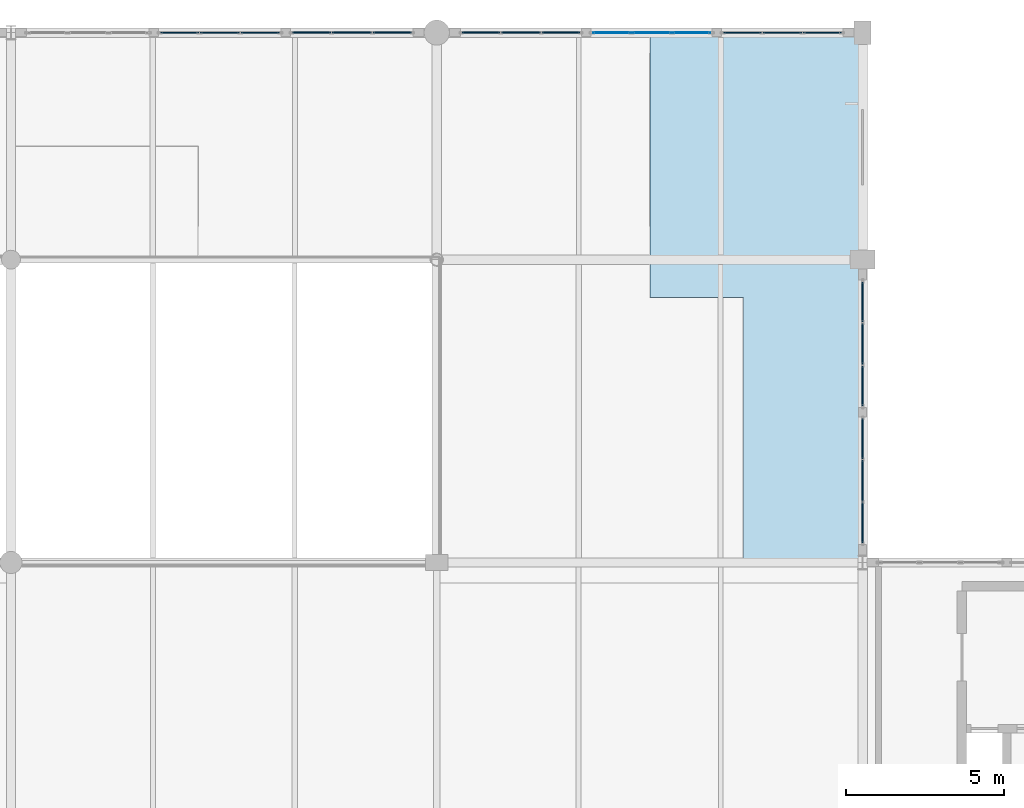
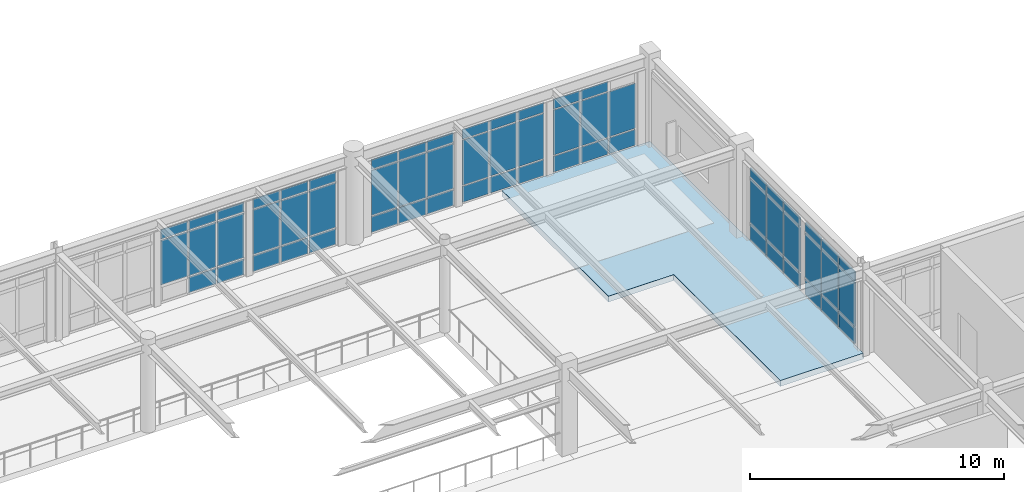
# One storey, part 41 of 61: 61 plates, 1 slab, 7 elements without a shape of their own.
"""IFC4 building model written with IfcOpenShell, lengths in metres."""

from ifc_helpers import new_model, si_unit, direction, frame, origin, origin_2d, place, context, subcontext, project, spatial, polyline, rectangle, outline, extrude, material, layer, layer_set, type_object, element, aggregate, save


model = new_model("IFC4")

# Units and contexts
model_context = context("Model", 3, precision=1e-05, world=origin(), true_north=direction((0.0, 1.0)))
body_context = subcontext(model_context, "Body", "Model", "MODEL_VIEW")
ifc_project = project(units=[si_unit("LENGTHUNIT", "METRE"), si_unit("AREAUNIT", "SQUARE_METRE"), si_unit("VOLUMEUNIT", "CUBIC_METRE"), si_unit("PLANEANGLEUNIT", "RADIAN"), si_unit("MASSUNIT", "GRAM", prefix="KILO")], contexts=[model_context])

# Site, building, storey
site_placement = place(None, origin())
site = spatial("IfcSite", under=ifc_project, at=site_placement, CompositionType="ELEMENT")
building_placement = place(site_placement, origin())
building = spatial("IfcBuilding", under=site, at=building_placement, Name="Fikremerkos Civic Library", CompositionType="ELEMENT")
storey_placement = place(building_placement, frame((0.0, 0.0, 14.39990234375)))
storey = spatial("IfcBuildingStorey", under=building, at=storey_placement, Name="L03", CompositionType="ELEMENT", Elevation=14.39990234375)

# Curtain wall, plates
ifc_material_1 = material(Name="Anodized aluminium Frame", Category="aluminium")
ifc_layer_1 = layer(ifc_material_1, 0.159912109375, Name="Anodized aluminium Frame")
ifc_layer_set_1 = layer_set([ifc_layer_1], Name="Anodized aluminium Frame")
curtain_wall_type_1 = type_object("IfcCurtainWallType", Name="Unitised curtain wall CW-05 3800x4100", PredefinedType="USERDEFINED", material=ifc_layer_set_1)
curtain_wall_1_placement = place(storey_placement, origin())
curtain_wall_1 = element("IfcCurtainWall", 1, at=curtain_wall_1_placement, inside=storey, type_object=curtain_wall_type_1, Name="Unitised curtain wall CW-05 L03 #203", ObjectType="UNITISED CURTAIN WALL", PredefinedType="USERDEFINED")
ifc_material_2 = material(Name="Solar control double glazing", Category="glass")
ifc_layer_2 = layer(ifc_material_2, 0.028076171875, Name="Solar control double glazing")
ifc_layer_set_2 = layer_set([ifc_layer_2], Name="Solar control double glazing")
plate_type_1 = type_object("IfcPlateType", Name="Curtain glazing panel CWP-01 28", PredefinedType="CURTAIN_PANEL", material=ifc_layer_set_2)
plate_1_placement = place(storey_placement, frame((92.247802734375, 48.0, 0.06005859375), z_axis=(0.0, 0.0, 1.0), x_axis=(1.0, 0.0, 0.0)))
plate_1 = element("IfcPlate", 2, at=plate_1_placement, type_object=plate_type_1, Name="CW-05 panel 1.1", PredefinedType="CURTAIN_PANEL", context=body_context, shape_type="SweptSolid", body=[
    extrude(rectangle(XDim=1.18359375, YDim=0.028076171875, at=origin_2d()), origin(), (0.0, 0.0, 1.0), 0.760009765625),
])
plate_2_placement = place(storey_placement, frame((92.247802734375, 48.0, 0.88037109375), z_axis=(0.0, 0.0, 1.0), x_axis=(1.0, 0.0, 0.0)))
plate_2 = element("IfcPlate", 3, at=plate_2_placement, type_object=plate_type_1, Name="CW-05 panel 1.2", PredefinedType="CURTAIN_PANEL", context=body_context, shape_type="SweptSolid", body=[
    extrude(rectangle(XDim=1.18359375, YDim=0.028076171875, at=origin_2d()), origin(), (0.0, 0.0, 1.0), 2.159912109375),
])
plate_3_placement = place(storey_placement, frame((92.247802734375, 48.0, 3.10009765625), z_axis=(0.0, 0.0, 1.0), x_axis=(1.0, 0.0, 0.0)))
plate_3 = element("IfcPlate", 4, at=plate_3_placement, type_object=plate_type_1, Name="CW-05 panel 1.3", PredefinedType="CURTAIN_PANEL", context=body_context, shape_type="SweptSolid", body=[
    extrude(rectangle(XDim=1.18359375, YDim=0.028076171875, at=origin_2d()), origin(), (0.0, 0.0, 1.0), 0.4599609375),
])
plate_4_placement = place(storey_placement, frame((93.512451171875, 48.0, 0.06005859375), z_axis=(0.0, 0.0, 1.0), x_axis=(1.0, 0.0, 0.0)))
plate_4 = element("IfcPlate", 5, at=plate_4_placement, type_object=plate_type_1, Name="CW-05 panel 2.1", PredefinedType="CURTAIN_PANEL", context=body_context, shape_type="SweptSolid", body=[
    extrude(rectangle(XDim=1.216064453125, YDim=0.028076171875, at=origin_2d()), origin(), (0.0, 0.0, 1.0), 0.760009765625),
])
plate_5_placement = place(storey_placement, frame((93.512451171875, 48.0, 0.88037109375), z_axis=(0.0, 0.0, 1.0), x_axis=(1.0, 0.0, 0.0)))
plate_5 = element("IfcPlate", 6, at=plate_5_placement, type_object=plate_type_1, Name="CW-05 panel 2.2", PredefinedType="CURTAIN_PANEL", context=body_context, shape_type="SweptSolid", body=[
    extrude(rectangle(XDim=1.216064453125, YDim=0.028076171875, at=origin_2d()), origin(), (0.0, 0.0, 1.0), 2.159912109375),
])
plate_6_placement = place(storey_placement, frame((93.512451171875, 48.0, 3.10009765625), z_axis=(0.0, 0.0, 1.0), x_axis=(1.0, 0.0, 0.0)))
plate_6 = element("IfcPlate", 7, at=plate_6_placement, type_object=plate_type_1, Name="CW-05 panel 2.3", PredefinedType="CURTAIN_PANEL", context=body_context, shape_type="SweptSolid", body=[
    extrude(rectangle(XDim=1.216064453125, YDim=0.028076171875, at=origin_2d()), origin(), (0.0, 0.0, 1.0), 0.4599609375),
])
plate_7_placement = place(storey_placement, frame((94.77734375, 48.0, 0.06005859375), z_axis=(0.0, 0.0, 1.0), x_axis=(1.0, 0.0, 0.0)))
plate_7 = element("IfcPlate", 8, at=plate_7_placement, type_object=plate_type_1, Name="CW-05 panel 3.1", PredefinedType="CURTAIN_PANEL", context=body_context, shape_type="SweptSolid", body=[
    extrude(rectangle(XDim=1.18359375, YDim=0.028076171875, at=origin_2d()), origin(), (0.0, 0.0, 1.0), 0.760009765625),
])
plate_8_placement = place(storey_placement, frame((94.77734375, 48.0, 0.88037109375), z_axis=(0.0, 0.0, 1.0), x_axis=(1.0, 0.0, 0.0)))
plate_8 = element("IfcPlate", 9, at=plate_8_placement, type_object=plate_type_1, Name="CW-05 panel 3.2", PredefinedType="CURTAIN_PANEL", context=body_context, shape_type="SweptSolid", body=[
    extrude(rectangle(XDim=1.18359375, YDim=0.028076171875, at=origin_2d()), origin(), (0.0, 0.0, 1.0), 2.159912109375),
])
plate_9_placement = place(storey_placement, frame((94.77734375, 48.0, 3.10009765625), z_axis=(0.0, 0.0, 1.0), x_axis=(1.0, 0.0, 0.0)))
plate_9 = element("IfcPlate", 10, at=plate_9_placement, type_object=plate_type_1, Name="CW-05 panel 3.3", PredefinedType="CURTAIN_PANEL", context=body_context, shape_type="SweptSolid", body=[
    extrude(rectangle(XDim=1.18359375, YDim=0.028076171875, at=origin_2d()), origin(), (0.0, 0.0, 1.0), 0.4599609375),
])
aggregate(curtain_wall_1, [plate_1, plate_2, plate_3, plate_4, plate_5, plate_6, plate_7, plate_8, plate_9])

ifc_layer_3 = layer(ifc_material_1, 0.159912109375, Name="Anodized aluminium Frame")
ifc_layer_set_3 = layer_set([ifc_layer_3], Name="Anodized aluminium Frame")
curtain_wall_type_2 = type_object("IfcCurtainWallType", Name="Unitised curtain wall CW-02 3900x3600", PredefinedType="USERDEFINED", material=ifc_layer_set_3)
curtain_wall_2_placement = place(storey_placement, origin())
curtain_wall_2 = element("IfcCurtainWall", 11, at=curtain_wall_2_placement, inside=storey, type_object=curtain_wall_type_2, Name="Unitised curtain wall CW-02 L03 #200", ObjectType="UNITISED CURTAIN WALL", PredefinedType="USERDEFINED")
ifc_layer_4 = layer(ifc_material_2, 0.035888671875, Name="Solar control double glazing")
ifc_layer_set_4 = layer_set([ifc_layer_4], Name="Solar control double glazing")
plate_type_2 = type_object("IfcPlateType", Name="Curtain glazing panel CWP-02 36", PredefinedType="CURTAIN_PANEL", material=ifc_layer_set_4)
plate_10_placement = place(storey_placement, frame((78.545166015625, 48.0, 0.88525390625), z_axis=(0.0, 0.0, 1.0), x_axis=(1.0, 0.0, 0.0)))
plate_10 = element("IfcPlate", 12, at=plate_10_placement, type_object=plate_type_2, Name="CW-02 panel 1.2", PredefinedType="CURTAIN_PANEL", context=body_context, shape_type="SweptSolid", body=[
    extrude(rectangle(XDim=1.204833984375, YDim=0.035888671875, at=origin_2d()), origin(), (0.0, 0.0, 1.0), 2.139892578125),
])
plate_11_placement = place(storey_placement, frame((78.545166015625, 48.0, 3.09521484375), z_axis=(0.0, 0.0, 1.0), x_axis=(1.0, 0.0, 0.0)))
plate_11 = element("IfcPlate", 13, at=plate_11_placement, type_object=plate_type_2, Name="CW-02 panel 1.3", PredefinedType="CURTAIN_PANEL", context=body_context, shape_type="SweptSolid", body=[
    extrude(rectangle(XDim=1.204833984375, YDim=0.035888671875, at=origin_2d()), origin(), (0.0, 0.0, 1.0), 0.445068359375),
])
plate_12_placement = place(storey_placement, frame((79.824951171875, 48.0, 0.070068359375), z_axis=(0.0, 0.0, 1.0), x_axis=(1.0, 0.0, 0.0)))
plate_12 = element("IfcPlate", 14, at=plate_12_placement, type_object=plate_type_2, Name="CW-02 panel 2.1", PredefinedType="CURTAIN_PANEL", context=body_context, shape_type="SweptSolid", body=[
    extrude(rectangle(XDim=1.23486328125, YDim=0.035888671875, at=origin_2d()), origin(), (0.0, 0.0, 1.0), 0.7451171875),
])
plate_13_placement = place(storey_placement, frame((79.824951171875, 48.0, 0.88525390625), z_axis=(0.0, 0.0, 1.0), x_axis=(1.0, 0.0, 0.0)))
plate_13 = element("IfcPlate", 15, at=plate_13_placement, type_object=plate_type_2, Name="CW-02 panel 2.2", PredefinedType="CURTAIN_PANEL", context=body_context, shape_type="SweptSolid", body=[
    extrude(rectangle(XDim=1.23486328125, YDim=0.035888671875, at=origin_2d()), origin(), (0.0, 0.0, 1.0), 2.139892578125),
])
plate_14_placement = place(storey_placement, frame((79.824951171875, 48.0, 3.09521484375), z_axis=(0.0, 0.0, 1.0), x_axis=(1.0, 0.0, 0.0)))
plate_14 = element("IfcPlate", 16, at=plate_14_placement, type_object=plate_type_2, Name="CW-02 panel 2.3", PredefinedType="CURTAIN_PANEL", context=body_context, shape_type="SweptSolid", body=[
    extrude(rectangle(XDim=1.23486328125, YDim=0.035888671875, at=origin_2d()), origin(), (0.0, 0.0, 1.0), 0.445068359375),
])
plate_15_placement = place(storey_placement, frame((81.10498046875, 48.0, 0.070068359375), z_axis=(0.0, 0.0, 1.0), x_axis=(1.0, 0.0, 0.0)))
plate_15 = element("IfcPlate", 17, at=plate_15_placement, type_object=plate_type_2, Name="CW-02 panel 3.1", PredefinedType="CURTAIN_PANEL", context=body_context, shape_type="SweptSolid", body=[
    extrude(rectangle(XDim=1.204833984375, YDim=0.035888671875, at=origin_2d()), origin(), (0.0, 0.0, 1.0), 0.7451171875),
])
plate_16_placement = place(storey_placement, frame((81.10498046875, 48.0, 0.88525390625), z_axis=(0.0, 0.0, 1.0), x_axis=(1.0, 0.0, 0.0)))
plate_16 = element("IfcPlate", 18, at=plate_16_placement, type_object=plate_type_2, Name="CW-02 panel 3.2", PredefinedType="CURTAIN_PANEL", context=body_context, shape_type="SweptSolid", body=[
    extrude(rectangle(XDim=1.204833984375, YDim=0.035888671875, at=origin_2d()), origin(), (0.0, 0.0, 1.0), 2.139892578125),
])
plate_17_placement = place(storey_placement, frame((81.10498046875, 48.0, 3.09521484375), z_axis=(0.0, 0.0, 1.0), x_axis=(1.0, 0.0, 0.0)))
plate_17 = element("IfcPlate", 19, at=plate_17_placement, type_object=plate_type_2, Name="CW-02 panel 3.3", PredefinedType="CURTAIN_PANEL", context=body_context, shape_type="SweptSolid", body=[
    extrude(rectangle(XDim=1.204833984375, YDim=0.035888671875, at=origin_2d()), origin(), (0.0, 0.0, 1.0), 0.445068359375),
])
aggregate(curtain_wall_2, [plate_10, plate_11, plate_12, plate_13, plate_14, plate_15, plate_16, plate_17])

ifc_layer_5 = layer(ifc_material_1, 0.159912109375, Name="Anodized aluminium Frame")
ifc_layer_set_5 = layer_set([ifc_layer_5], Name="Anodized aluminium Frame")
curtain_wall_type_3 = type_object("IfcCurtainWallType", Name="Unitised curtain wall CW-06 4200x4100", PredefinedType="USERDEFINED", material=ifc_layer_set_5)
curtain_wall_3_placement = place(storey_placement, origin())
curtain_wall_3 = element("IfcCurtainWall", 20, at=curtain_wall_3_placement, inside=storey, type_object=curtain_wall_type_3, Name="Unitised curtain wall CW-06 L03 #204", ObjectType="UNITISED CURTAIN WALL", PredefinedType="USERDEFINED")
plate_18_placement = place(storey_placement, frame((96.389404296875, 48.0, 0.06005859375), z_axis=(0.0, 0.0, 1.0), x_axis=(1.0, 0.0, 0.0)))
plate_18 = element("IfcPlate", 21, at=plate_18_placement, type_object=plate_type_2, Name="CW-06 panel 1.1", PredefinedType="CURTAIN_PANEL", context=body_context, shape_type="SweptSolid", body=[
    extrude(rectangle(XDim=1.19091796875, YDim=0.035888671875, at=origin_2d()), origin(), (0.0, 0.0, 1.0), 0.760009765625),
])
plate_19_placement = place(storey_placement, frame((96.389404296875, 48.0, 0.88037109375), z_axis=(0.0, 0.0, 1.0), x_axis=(1.0, 0.0, 0.0)))
plate_19 = element("IfcPlate", 22, at=plate_19_placement, type_object=plate_type_2, Name="CW-06 panel 1.2", PredefinedType="CURTAIN_PANEL", context=body_context, shape_type="SweptSolid", body=[
    extrude(rectangle(XDim=1.19091796875, YDim=0.035888671875, at=origin_2d()), origin(), (0.0, 0.0, 1.0), 2.159912109375),
])
plate_20_placement = place(storey_placement, frame((96.389404296875, 48.0, 3.10009765625), z_axis=(0.0, 0.0, 1.0), x_axis=(1.0, 0.0, 0.0)))
plate_20 = element("IfcPlate", 23, at=plate_20_placement, type_object=plate_type_2, Name="CW-06 panel 1.3", PredefinedType="CURTAIN_PANEL", context=body_context, shape_type="SweptSolid", body=[
    extrude(rectangle(XDim=1.19091796875, YDim=0.035888671875, at=origin_2d()), origin(), (0.0, 0.0, 1.0), 0.4599609375),
])
plate_21_placement = place(storey_placement, frame((97.655517578125, 48.0, 0.06005859375), z_axis=(0.0, 0.0, 1.0), x_axis=(1.0, 0.0, 0.0)))
plate_21 = element("IfcPlate", 24, at=plate_21_placement, type_object=plate_type_2, Name="CW-06 panel 2.1", PredefinedType="CURTAIN_PANEL", context=body_context, shape_type="SweptSolid", body=[
    extrude(rectangle(XDim=1.220947265625, YDim=0.035888671875, at=origin_2d()), origin(), (0.0, 0.0, 1.0), 0.760009765625),
])
plate_22_placement = place(storey_placement, frame((97.655517578125, 48.0, 0.88037109375), z_axis=(0.0, 0.0, 1.0), x_axis=(1.0, 0.0, 0.0)))
plate_22 = element("IfcPlate", 25, at=plate_22_placement, type_object=plate_type_2, Name="CW-06 panel 2.2", PredefinedType="CURTAIN_PANEL", context=body_context, shape_type="SweptSolid", body=[
    extrude(rectangle(XDim=1.220947265625, YDim=0.035888671875, at=origin_2d()), origin(), (0.0, 0.0, 1.0), 2.159912109375),
])
plate_23_placement = place(storey_placement, frame((97.655517578125, 48.0, 3.10009765625), z_axis=(0.0, 0.0, 1.0), x_axis=(1.0, 0.0, 0.0)))
plate_23 = element("IfcPlate", 26, at=plate_23_placement, type_object=plate_type_2, Name="CW-06 panel 2.3", PredefinedType="CURTAIN_PANEL", context=body_context, shape_type="SweptSolid", body=[
    extrude(rectangle(XDim=1.220947265625, YDim=0.035888671875, at=origin_2d()), origin(), (0.0, 0.0, 1.0), 0.4599609375),
])
plate_24_placement = place(storey_placement, frame((98.92138671875, 48.0, 0.06005859375), z_axis=(0.0, 0.0, 1.0), x_axis=(1.0, 0.0, 0.0)))
plate_24 = element("IfcPlate", 27, at=plate_24_placement, type_object=plate_type_2, Name="CW-06 panel 3.1", PredefinedType="CURTAIN_PANEL", context=body_context, shape_type="SweptSolid", body=[
    extrude(rectangle(XDim=1.19091796875, YDim=0.035888671875, at=origin_2d()), origin(), (0.0, 0.0, 1.0), 0.760009765625),
])
plate_25_placement = place(storey_placement, frame((98.92138671875, 48.0, 0.88037109375), z_axis=(0.0, 0.0, 1.0), x_axis=(1.0, 0.0, 0.0)))
plate_25 = element("IfcPlate", 28, at=plate_25_placement, type_object=plate_type_2, Name="CW-06 panel 3.2", PredefinedType="CURTAIN_PANEL", context=body_context, shape_type="SweptSolid", body=[
    extrude(rectangle(XDim=1.19091796875, YDim=0.035888671875, at=origin_2d()), origin(), (0.0, 0.0, 1.0), 2.159912109375),
])
aggregate(curtain_wall_3, [plate_18, plate_19, plate_20, plate_21, plate_22, plate_23, plate_24, plate_25])

ifc_layer_6 = layer(ifc_material_1, 0.159912109375, Name="Anodized aluminium Frame")
ifc_layer_set_6 = layer_set([ifc_layer_6], Name="Anodized aluminium Frame")
curtain_wall_type_4 = type_object("IfcCurtainWallType", Name="Unitised curtain wall CW-03 4100x3600", PredefinedType="USERDEFINED", material=ifc_layer_set_6)
curtain_wall_4_placement = place(storey_placement, origin())
curtain_wall_4 = element("IfcCurtainWall", 29, at=curtain_wall_4_placement, inside=storey, type_object=curtain_wall_type_4, Name="Unitised curtain wall CW-03 L03 #201", ObjectType="UNITISED CURTAIN WALL", PredefinedType="USERDEFINED")
ifc_material_3 = material(Name="Insulated aluminium spandrel", Category="aluminium")
ifc_layer_7 = layer(ifc_material_3, 0.044921875, Name="Insulated aluminium spandrel")
ifc_layer_set_7 = layer_set([ifc_layer_7], Name="Insulated aluminium spandrel")
plate_type_3 = type_object("IfcPlateType", Name="Curtain spandrel panel CSP-01 45", PredefinedType="CURTAIN_PANEL", material=ifc_layer_set_7)
plate_26_placement = place(storey_placement, frame((82.729736328125, 48.0, 0.065185546875), z_axis=(0.0, 0.0, 1.0), x_axis=(1.0, 0.0, 0.0)))
plate_26 = element("IfcPlate", 30, at=plate_26_placement, type_object=plate_type_3, Name="CW-03 panel 1.1", PredefinedType="CURTAIN_PANEL", context=body_context, shape_type="SweptSolid", body=[
    extrude(rectangle(XDim=1.204833984375, YDim=0.044921875, at=origin_2d()), origin(), (0.0, 0.0, 1.0), 0.75244140625),
])
plate_27_placement = place(storey_placement, frame((82.729736328125, 48.0, 0.882568359375), z_axis=(0.0, 0.0, 1.0), x_axis=(1.0, 0.0, 0.0)))
plate_27 = element("IfcPlate", 31, at=plate_27_placement, type_object=plate_type_3, Name="CW-03 panel 1.2", PredefinedType="CURTAIN_PANEL", context=body_context, shape_type="SweptSolid", body=[
    extrude(rectangle(XDim=1.204833984375, YDim=0.044921875, at=origin_2d()), origin(), (0.0, 0.0, 1.0), 2.14501953125),
])
plate_28_placement = place(storey_placement, frame((82.729736328125, 48.0, 3.0927734375), z_axis=(0.0, 0.0, 1.0), x_axis=(1.0, 0.0, 0.0)))
plate_28 = element("IfcPlate", 32, at=plate_28_placement, type_object=plate_type_3, Name="CW-03 panel 1.3", PredefinedType="CURTAIN_PANEL", context=body_context, shape_type="SweptSolid", body=[
    extrude(rectangle(XDim=1.204833984375, YDim=0.044921875, at=origin_2d()), origin(), (0.0, 0.0, 1.0), 0.452392578125),
])
plate_29_placement = place(storey_placement, frame((84.009765625, 48.0, 0.065185546875), z_axis=(0.0, 0.0, 1.0), x_axis=(1.0, 0.0, 0.0)))
plate_29 = element("IfcPlate", 33, at=plate_29_placement, type_object=plate_type_3, Name="CW-03 panel 2.1", PredefinedType="CURTAIN_PANEL", context=body_context, shape_type="SweptSolid", body=[
    extrude(rectangle(XDim=1.23486328125, YDim=0.044921875, at=origin_2d()), origin(), (0.0, 0.0, 1.0), 0.75244140625),
])
plate_30_placement = place(storey_placement, frame((84.009765625, 48.0, 0.882568359375), z_axis=(0.0, 0.0, 1.0), x_axis=(1.0, 0.0, 0.0)))
plate_30 = element("IfcPlate", 34, at=plate_30_placement, type_object=plate_type_3, Name="CW-03 panel 2.2", PredefinedType="CURTAIN_PANEL", context=body_context, shape_type="SweptSolid", body=[
    extrude(rectangle(XDim=1.23486328125, YDim=0.044921875, at=origin_2d()), origin(), (0.0, 0.0, 1.0), 2.14501953125),
])
plate_31_placement = place(storey_placement, frame((84.009765625, 48.0, 3.0927734375), z_axis=(0.0, 0.0, 1.0), x_axis=(1.0, 0.0, 0.0)))
plate_31 = element("IfcPlate", 35, at=plate_31_placement, type_object=plate_type_3, Name="CW-03 panel 2.3", PredefinedType="CURTAIN_PANEL", context=body_context, shape_type="SweptSolid", body=[
    extrude(rectangle(XDim=1.23486328125, YDim=0.044921875, at=origin_2d()), origin(), (0.0, 0.0, 1.0), 0.452392578125),
])
plate_32_placement = place(storey_placement, frame((85.28955078125, 48.0, 0.065185546875), z_axis=(0.0, 0.0, 1.0), x_axis=(1.0, 0.0, 0.0)))
plate_32 = element("IfcPlate", 36, at=plate_32_placement, type_object=plate_type_3, Name="CW-03 panel 3.1", PredefinedType="CURTAIN_PANEL", context=body_context, shape_type="SweptSolid", body=[
    extrude(rectangle(XDim=1.204833984375, YDim=0.044921875, at=origin_2d()), origin(), (0.0, 0.0, 1.0), 0.75244140625),
])
plate_33_placement = place(storey_placement, frame((85.28955078125, 48.0, 0.882568359375), z_axis=(0.0, 0.0, 1.0), x_axis=(1.0, 0.0, 0.0)))
plate_33 = element("IfcPlate", 37, at=plate_33_placement, type_object=plate_type_3, Name="CW-03 panel 3.2", PredefinedType="CURTAIN_PANEL", context=body_context, shape_type="SweptSolid", body=[
    extrude(rectangle(XDim=1.204833984375, YDim=0.044921875, at=origin_2d()), origin(), (0.0, 0.0, 1.0), 2.14501953125),
])
plate_34_placement = place(storey_placement, frame((85.28955078125, 48.0, 3.0927734375), z_axis=(0.0, 0.0, 1.0), x_axis=(1.0, 0.0, 0.0)))
plate_34 = element("IfcPlate", 38, at=plate_34_placement, type_object=plate_type_3, Name="CW-03 panel 3.3", PredefinedType="CURTAIN_PANEL", context=body_context, shape_type="SweptSolid", body=[
    extrude(rectangle(XDim=1.204833984375, YDim=0.044921875, at=origin_2d()), origin(), (0.0, 0.0, 1.0), 0.452392578125),
])
aggregate(curtain_wall_4, [plate_26, plate_27, plate_28, plate_29, plate_30, plate_31, plate_32, plate_33, plate_34])

ifc_layer_8 = layer(ifc_material_1, 0.159912109375, Name="Anodized aluminium Frame")
ifc_layer_set_8 = layer_set([ifc_layer_8], Name="Anodized aluminium Frame")
curtain_wall_type_5 = type_object("IfcCurtainWallType", Name="Unitised curtain wall CW-07 3500x4100", PredefinedType="USERDEFINED", material=ifc_layer_set_8)
curtain_wall_5_placement = place(storey_placement, origin())
curtain_wall_5 = element("IfcCurtainWall", 39, at=curtain_wall_5_placement, inside=storey, type_object=curtain_wall_type_5, Name="Unitised curtain wall CW-07 L03 #205", ObjectType="UNITISED CURTAIN WALL", PredefinedType="USERDEFINED")
plate_35_placement = place(storey_placement, frame((100.199951171875, 39.4638671875, 0.070068359375), z_axis=(0.0, 0.0, 1.0), x_axis=(0.0, -1.0, 0.0)))
plate_35 = element("IfcPlate", 40, at=plate_35_placement, type_object=plate_type_3, Name="CW-07 panel 1.1", PredefinedType="CURTAIN_PANEL", context=body_context, shape_type="SweptSolid", body=[
    extrude(rectangle(XDim=1.256591796875, YDim=0.044921875, at=origin_2d()), origin(), (0.0, 0.0, 1.0), 0.7451171875),
])
plate_36_placement = place(storey_placement, frame((100.199951171875, 39.4638671875, 0.88525390625), z_axis=(0.0, 0.0, 1.0), x_axis=(0.0, -1.0, 0.0)))
plate_36 = element("IfcPlate", 41, at=plate_36_placement, type_object=plate_type_3, Name="CW-07 panel 1.2", PredefinedType="CURTAIN_PANEL", context=body_context, shape_type="SweptSolid", body=[
    extrude(rectangle(XDim=1.256591796875, YDim=0.044921875, at=origin_2d()), origin(), (0.0, 0.0, 1.0), 2.1298828125),
])
plate_37_placement = place(storey_placement, frame((100.199951171875, 39.4638671875, 3.0849609375), z_axis=(0.0, 0.0, 1.0), x_axis=(0.0, -1.0, 0.0)))
plate_37 = element("IfcPlate", 42, at=plate_37_placement, type_object=plate_type_3, Name="CW-07 panel 1.3", PredefinedType="CURTAIN_PANEL", context=body_context, shape_type="SweptSolid", body=[
    extrude(rectangle(XDim=1.256591796875, YDim=0.044921875, at=origin_2d()), origin(), (0.0, 0.0, 1.0), 0.445068359375),
])
plate_38_placement = place(storey_placement, frame((100.199951171875, 38.13232421875, 0.070068359375), z_axis=(0.0, 0.0, 1.0), x_axis=(0.0, -1.0, 0.0)))
plate_38 = element("IfcPlate", 43, at=plate_38_placement, type_object=plate_type_3, Name="CW-07 panel 2.1", PredefinedType="CURTAIN_PANEL", context=body_context, shape_type="SweptSolid", body=[
    extrude(rectangle(XDim=1.28662109375, YDim=0.044921875, at=origin_2d()), origin(), (0.0, 0.0, 1.0), 0.7451171875),
])
plate_39_placement = place(storey_placement, frame((100.199951171875, 38.13232421875, 0.88525390625), z_axis=(0.0, 0.0, 1.0), x_axis=(0.0, -1.0, 0.0)))
plate_39 = element("IfcPlate", 44, at=plate_39_placement, type_object=plate_type_3, Name="CW-07 panel 2.2", PredefinedType="CURTAIN_PANEL", context=body_context, shape_type="SweptSolid", body=[
    extrude(rectangle(XDim=1.28662109375, YDim=0.044921875, at=origin_2d()), origin(), (0.0, 0.0, 1.0), 2.1298828125),
])
plate_40_placement = place(storey_placement, frame((100.199951171875, 38.13232421875, 3.0849609375), z_axis=(0.0, 0.0, 1.0), x_axis=(0.0, -1.0, 0.0)))
plate_40 = element("IfcPlate", 45, at=plate_40_placement, type_object=plate_type_3, Name="CW-07 panel 2.3", PredefinedType="CURTAIN_PANEL", context=body_context, shape_type="SweptSolid", body=[
    extrude(rectangle(XDim=1.28662109375, YDim=0.044921875, at=origin_2d()), origin(), (0.0, 0.0, 1.0), 0.445068359375),
])
plate_41_placement = place(storey_placement, frame((100.199951171875, 36.80078125, 0.070068359375), z_axis=(0.0, 0.0, 1.0), x_axis=(0.0, -1.0, 0.0)))
plate_41 = element("IfcPlate", 46, at=plate_41_placement, type_object=plate_type_3, Name="CW-07 panel 3.1", PredefinedType="CURTAIN_PANEL", context=body_context, shape_type="SweptSolid", body=[
    extrude(rectangle(XDim=1.256591796875, YDim=0.044921875, at=origin_2d()), origin(), (0.0, 0.0, 1.0), 0.7451171875),
])
plate_42_placement = place(storey_placement, frame((100.199951171875, 36.80078125, 0.88525390625), z_axis=(0.0, 0.0, 1.0), x_axis=(0.0, -1.0, 0.0)))
plate_42 = element("IfcPlate", 47, at=plate_42_placement, type_object=plate_type_3, Name="CW-07 panel 3.2", PredefinedType="CURTAIN_PANEL", context=body_context, shape_type="SweptSolid", body=[
    extrude(rectangle(XDim=1.256591796875, YDim=0.044921875, at=origin_2d()), origin(), (0.0, 0.0, 1.0), 2.1298828125),
])
plate_43_placement = place(storey_placement, frame((100.199951171875, 36.80078125, 3.0849609375), z_axis=(0.0, 0.0, 1.0), x_axis=(0.0, -1.0, 0.0)))
plate_43 = element("IfcPlate", 48, at=plate_43_placement, type_object=plate_type_3, Name="CW-07 panel 3.3", PredefinedType="CURTAIN_PANEL", context=body_context, shape_type="SweptSolid", body=[
    extrude(rectangle(XDim=1.256591796875, YDim=0.044921875, at=origin_2d()), origin(), (0.0, 0.0, 1.0), 0.445068359375),
])
aggregate(curtain_wall_5, [plate_35, plate_36, plate_37, plate_38, plate_39, plate_40, plate_41, plate_42, plate_43])

ifc_layer_9 = layer(ifc_material_1, 0.159912109375, Name="Anodized aluminium Frame")
ifc_layer_set_9 = layer_set([ifc_layer_9], Name="Anodized aluminium Frame")
curtain_wall_type_6 = type_object("IfcCurtainWallType", Name="Unitised curtain wall CW-04 3400x3600", PredefinedType="USERDEFINED", material=ifc_layer_set_9)
curtain_wall_6_placement = place(storey_placement, origin())
curtain_wall_6 = element("IfcCurtainWall", 49, at=curtain_wall_6_placement, inside=storey, type_object=curtain_wall_type_6, Name="Unitised curtain wall CW-04 L03 #202", ObjectType="UNITISED CURTAIN WALL", PredefinedType="USERDEFINED")
ifc_layer_10 = layer(ifc_material_3, 0.054931640625, Name="Insulated aluminium spandrel")
ifc_layer_set_10 = layer_set([ifc_layer_10], Name="Insulated aluminium spandrel")
plate_type_4 = type_object("IfcPlateType", Name="Curtain spandrel panel CSP-02 55", PredefinedType="CURTAIN_PANEL", material=ifc_layer_set_10)
plate_44_placement = place(storey_placement, frame((88.103515625, 48.0, 0.065185546875), z_axis=(0.0, 0.0, 1.0), x_axis=(1.0, 0.0, 0.0)))
plate_44 = element("IfcPlate", 50, at=plate_44_placement, type_object=plate_type_4, Name="CW-04 panel 1.1", PredefinedType="CURTAIN_PANEL", context=body_context, shape_type="SweptSolid", body=[
    extrude(rectangle(XDim=1.19091796875, YDim=0.054931640625, at=origin_2d()), origin(), (0.0, 0.0, 1.0), 0.75244140625),
])
plate_45_placement = place(storey_placement, frame((88.103515625, 48.0, 0.8828125), z_axis=(0.0, 0.0, 1.0), x_axis=(1.0, 0.0, 0.0)))
plate_45 = element("IfcPlate", 51, at=plate_45_placement, type_object=plate_type_4, Name="CW-04 panel 1.2", PredefinedType="CURTAIN_PANEL", context=body_context, shape_type="SweptSolid", body=[
    extrude(rectangle(XDim=1.19091796875, YDim=0.054931640625, at=origin_2d()), origin(), (0.0, 0.0, 1.0), 2.155029296875),
])
plate_46_placement = place(storey_placement, frame((88.103515625, 48.0, 3.1025390625), z_axis=(0.0, 0.0, 1.0), x_axis=(1.0, 0.0, 0.0)))
plate_46 = element("IfcPlate", 52, at=plate_46_placement, type_object=plate_type_4, Name="CW-04 panel 1.3", PredefinedType="CURTAIN_PANEL", context=body_context, shape_type="SweptSolid", body=[
    extrude(rectangle(XDim=1.19091796875, YDim=0.054931640625, at=origin_2d()), origin(), (0.0, 0.0, 1.0), 0.452392578125),
])
plate_47_placement = place(storey_placement, frame((89.369384765625, 48.0, 0.065185546875), z_axis=(0.0, 0.0, 1.0), x_axis=(1.0, 0.0, 0.0)))
plate_47 = element("IfcPlate", 53, at=plate_47_placement, type_object=plate_type_4, Name="CW-04 panel 2.1", PredefinedType="CURTAIN_PANEL", context=body_context, shape_type="SweptSolid", body=[
    extrude(rectangle(XDim=1.220947265625, YDim=0.054931640625, at=origin_2d()), origin(), (0.0, 0.0, 1.0), 0.75244140625),
])
plate_48_placement = place(storey_placement, frame((89.369384765625, 48.0, 0.8828125), z_axis=(0.0, 0.0, 1.0), x_axis=(1.0, 0.0, 0.0)))
plate_48 = element("IfcPlate", 54, at=plate_48_placement, type_object=plate_type_4, Name="CW-04 panel 2.2", PredefinedType="CURTAIN_PANEL", context=body_context, shape_type="SweptSolid", body=[
    extrude(rectangle(XDim=1.220947265625, YDim=0.054931640625, at=origin_2d()), origin(), (0.0, 0.0, 1.0), 2.155029296875),
])
plate_49_placement = place(storey_placement, frame((89.369384765625, 48.0, 3.1025390625), z_axis=(0.0, 0.0, 1.0), x_axis=(1.0, 0.0, 0.0)))
plate_49 = element("IfcPlate", 55, at=plate_49_placement, type_object=plate_type_4, Name="CW-04 panel 2.3", PredefinedType="CURTAIN_PANEL", context=body_context, shape_type="SweptSolid", body=[
    extrude(rectangle(XDim=1.220947265625, YDim=0.054931640625, at=origin_2d()), origin(), (0.0, 0.0, 1.0), 0.452392578125),
])
plate_50_placement = place(storey_placement, frame((90.635498046875, 48.0, 0.065185546875), z_axis=(0.0, 0.0, 1.0), x_axis=(1.0, 0.0, 0.0)))
plate_50 = element("IfcPlate", 56, at=plate_50_placement, type_object=plate_type_4, Name="CW-04 panel 3.1", PredefinedType="CURTAIN_PANEL", context=body_context, shape_type="SweptSolid", body=[
    extrude(rectangle(XDim=1.19091796875, YDim=0.054931640625, at=origin_2d()), origin(), (0.0, 0.0, 1.0), 0.75244140625),
])
plate_51_placement = place(storey_placement, frame((90.635498046875, 48.0, 0.8828125), z_axis=(0.0, 0.0, 1.0), x_axis=(1.0, 0.0, 0.0)))
plate_51 = element("IfcPlate", 57, at=plate_51_placement, type_object=plate_type_4, Name="CW-04 panel 3.2", PredefinedType="CURTAIN_PANEL", context=body_context, shape_type="SweptSolid", body=[
    extrude(rectangle(XDim=1.19091796875, YDim=0.054931640625, at=origin_2d()), origin(), (0.0, 0.0, 1.0), 2.155029296875),
])
plate_52_placement = place(storey_placement, frame((90.635498046875, 48.0, 3.1025390625), z_axis=(0.0, 0.0, 1.0), x_axis=(1.0, 0.0, 0.0)))
plate_52 = element("IfcPlate", 58, at=plate_52_placement, type_object=plate_type_4, Name="CW-04 panel 3.3", PredefinedType="CURTAIN_PANEL", context=body_context, shape_type="SweptSolid", body=[
    extrude(rectangle(XDim=1.19091796875, YDim=0.054931640625, at=origin_2d()), origin(), (0.0, 0.0, 1.0), 0.452392578125),
])
aggregate(curtain_wall_6, [plate_44, plate_45, plate_46, plate_47, plate_48, plate_49, plate_50, plate_51, plate_52])

ifc_layer_11 = layer(ifc_material_1, 0.159912109375, Name="Anodized aluminium Frame")
ifc_layer_set_11 = layer_set([ifc_layer_11], Name="Anodized aluminium Frame")
curtain_wall_type_7 = type_object("IfcCurtainWallType", Name="Unitised curtain wall CW-08 4500x4100", PredefinedType="USERDEFINED", material=ifc_layer_set_11)
curtain_wall_7_placement = place(storey_placement, origin())
curtain_wall_7 = element("IfcCurtainWall", 59, at=curtain_wall_7_placement, inside=storey, type_object=curtain_wall_type_7, Name="Unitised curtain wall CW-08 L03 #206", ObjectType="UNITISED CURTAIN WALL", PredefinedType="USERDEFINED")
plate_53_placement = place(storey_placement, frame((100.199951171875, 35.124267578125, 0.070068359375), z_axis=(0.0, 0.0, 1.0), x_axis=(0.0, -1.0, 0.0)))
plate_53 = element("IfcPlate", 60, at=plate_53_placement, type_object=plate_type_4, Name="CW-08 panel 1.1", PredefinedType="CURTAIN_PANEL", context=body_context, shape_type="SweptSolid", body=[
    extrude(rectangle(XDim=1.256591796875, YDim=0.054931640625, at=origin_2d()), origin(), (0.0, 0.0, 1.0), 0.7451171875),
])
plate_54_placement = place(storey_placement, frame((100.199951171875, 35.124267578125, 0.88525390625), z_axis=(0.0, 0.0, 1.0), x_axis=(0.0, -1.0, 0.0)))
plate_54 = element("IfcPlate", 61, at=plate_54_placement, type_object=plate_type_4, Name="CW-08 panel 1.2", PredefinedType="CURTAIN_PANEL", context=body_context, shape_type="SweptSolid", body=[
    extrude(rectangle(XDim=1.256591796875, YDim=0.054931640625, at=origin_2d()), origin(), (0.0, 0.0, 1.0), 2.1298828125),
])
plate_55_placement = place(storey_placement, frame((100.199951171875, 35.124267578125, 3.0849609375), z_axis=(0.0, 0.0, 1.0), x_axis=(0.0, -1.0, 0.0)))
plate_55 = element("IfcPlate", 62, at=plate_55_placement, type_object=plate_type_4, Name="CW-08 panel 1.3", PredefinedType="CURTAIN_PANEL", context=body_context, shape_type="SweptSolid", body=[
    extrude(rectangle(XDim=1.256591796875, YDim=0.054931640625, at=origin_2d()), origin(), (0.0, 0.0, 1.0), 0.445068359375),
])
plate_56_placement = place(storey_placement, frame((100.199951171875, 33.792724609375, 0.070068359375), z_axis=(0.0, 0.0, 1.0), x_axis=(0.0, -1.0, 0.0)))
plate_56 = element("IfcPlate", 63, at=plate_56_placement, type_object=plate_type_4, Name="CW-08 panel 2.1", PredefinedType="CURTAIN_PANEL", context=body_context, shape_type="SweptSolid", body=[
    extrude(rectangle(XDim=1.28662109375, YDim=0.054931640625, at=origin_2d()), origin(), (0.0, 0.0, 1.0), 0.7451171875),
])
plate_57_placement = place(storey_placement, frame((100.199951171875, 33.792724609375, 0.88525390625), z_axis=(0.0, 0.0, 1.0), x_axis=(0.0, -1.0, 0.0)))
plate_57 = element("IfcPlate", 64, at=plate_57_placement, type_object=plate_type_4, Name="CW-08 panel 2.2", PredefinedType="CURTAIN_PANEL", context=body_context, shape_type="SweptSolid", body=[
    extrude(rectangle(XDim=1.28662109375, YDim=0.054931640625, at=origin_2d()), origin(), (0.0, 0.0, 1.0), 2.1298828125),
])
plate_58_placement = place(storey_placement, frame((100.199951171875, 33.792724609375, 3.0849609375), z_axis=(0.0, 0.0, 1.0), x_axis=(0.0, -1.0, 0.0)))
plate_58 = element("IfcPlate", 65, at=plate_58_placement, type_object=plate_type_4, Name="CW-08 panel 2.3", PredefinedType="CURTAIN_PANEL", context=body_context, shape_type="SweptSolid", body=[
    extrude(rectangle(XDim=1.28662109375, YDim=0.054931640625, at=origin_2d()), origin(), (0.0, 0.0, 1.0), 0.445068359375),
])
plate_59_placement = place(storey_placement, frame((100.199951171875, 32.461181640625, 0.070068359375), z_axis=(0.0, 0.0, 1.0), x_axis=(0.0, -1.0, 0.0)))
plate_59 = element("IfcPlate", 66, at=plate_59_placement, type_object=plate_type_4, Name="CW-08 panel 3.1", PredefinedType="CURTAIN_PANEL", context=body_context, shape_type="SweptSolid", body=[
    extrude(rectangle(XDim=1.256591796875, YDim=0.054931640625, at=origin_2d()), origin(), (0.0, 0.0, 1.0), 0.7451171875),
])
plate_60_placement = place(storey_placement, frame((100.199951171875, 32.461181640625, 0.88525390625), z_axis=(0.0, 0.0, 1.0), x_axis=(0.0, -1.0, 0.0)))
plate_60 = element("IfcPlate", 67, at=plate_60_placement, type_object=plate_type_4, Name="CW-08 panel 3.2", PredefinedType="CURTAIN_PANEL", context=body_context, shape_type="SweptSolid", body=[
    extrude(rectangle(XDim=1.256591796875, YDim=0.054931640625, at=origin_2d()), origin(), (0.0, 0.0, 1.0), 2.1298828125),
])
plate_61_placement = place(storey_placement, frame((100.199951171875, 32.461181640625, 3.0849609375), z_axis=(0.0, 0.0, 1.0), x_axis=(0.0, -1.0, 0.0)))
plate_61 = element("IfcPlate", 68, at=plate_61_placement, type_object=plate_type_4, Name="CW-08 panel 3.3", PredefinedType="CURTAIN_PANEL", context=body_context, shape_type="SweptSolid", body=[
    extrude(rectangle(XDim=1.256591796875, YDim=0.054931640625, at=origin_2d()), origin(), (0.0, 0.0, 1.0), 0.445068359375),
])
aggregate(curtain_wall_7, [plate_53, plate_54, plate_55, plate_56, plate_57, plate_58, plate_59, plate_60, plate_61])

# Slab
ifc_material_4 = material(Name="Concrete C40/50", Category="concrete")
ifc_layer_12 = layer(ifc_material_4, 0.280029296875, Name="Concrete C40/50")
ifc_layer_set_12 = layer_set([ifc_layer_12], Name="Concrete C40/50")
slab_type = type_object("IfcSlabType", Name="Suspended floor slab SFS-04 280", PredefinedType="FLOOR", material=ifc_layer_set_12)
slab_placement = place(storey_placement, frame((0.0, 0.0, -0.27978515625)))
element("IfcSlab", 69, at=slab_placement, inside=storey, type_object=slab_type, Name="Floor slab SFS-04 SLB-L03-V4-A-3L2", PredefinedType="FLOOR", context=body_context, shape_type="SweptSolid", body=[
    extrude(outline(polyline([(96.424072265625, 31.199951171875), (100.199951171875, 31.199951171875), (100.199951171875, 48.0), (93.4541015625, 48.0), (93.4541015625, 39.60400390625), (96.424072265625, 39.60400390625), (96.424072265625, 31.199951171875)])), origin(), (0.0, 0.0, 1.0), 0.27978515625),
])

save(model, "model.ifc")
